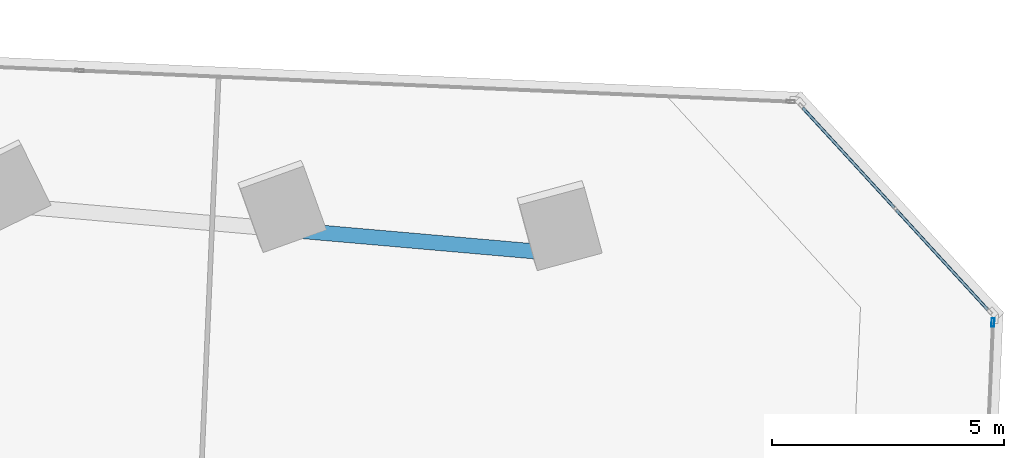
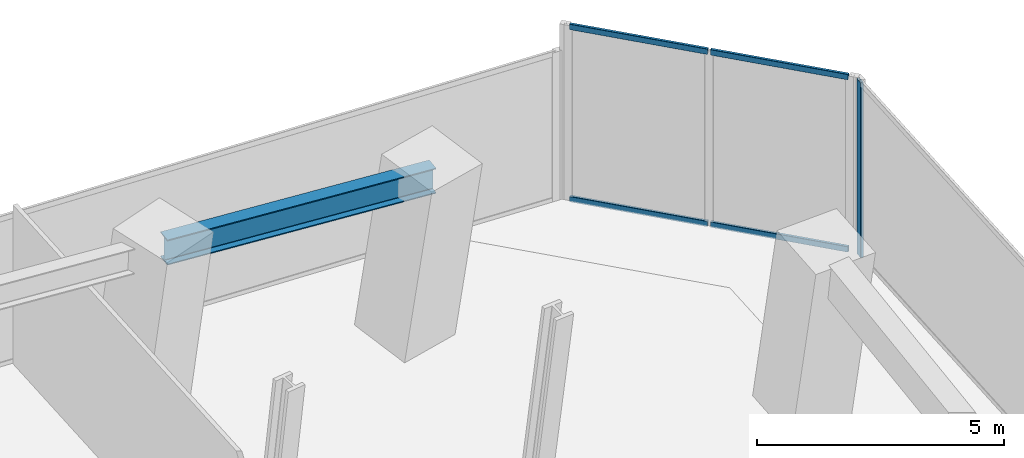
# One storey, part 14 of 26: 5 members, 1 beam, 2 elements without a shape of their own.
"""IFC4 building model written with IfcOpenShell, lengths in metres."""

from ifc_helpers import new_model, si_unit, direction, frame, origin, origin_2d, place, context, subcontext, project, spatial, hollow_rectangle, i_section, extrude, source, transform, mapped, material, material_profile, profile_set, type_object, element, aggregate, save


model = new_model("IFC4")

# Units and contexts
model_context = context("Model", 3, precision=1e-05, world=origin(), true_north=direction((0.0, 1.0)))
body_context = subcontext(model_context, "Body", "Model", "MODEL_VIEW")
ifc_project = project(units=[si_unit("LENGTHUNIT", "METRE"), si_unit("AREAUNIT", "SQUARE_METRE"), si_unit("VOLUMEUNIT", "CUBIC_METRE"), si_unit("PLANEANGLEUNIT", "RADIAN"), si_unit("MASSUNIT", "GRAM", prefix="KILO")], contexts=[model_context])

# Site, building, storey
site_placement = place(None, origin())
site = spatial("IfcSite", under=ifc_project, at=site_placement, CompositionType="ELEMENT")
building_placement = place(site_placement, origin())
building = spatial("IfcBuilding", under=site, at=building_placement, Name="Torre Montelarca", CompositionType="ELEMENT")
storey_placement = place(building_placement, frame((0.0, 0.0, 42.39990234375)))
storey = spatial("IfcBuildingStorey", under=building, at=storey_placement, Name="L09", CompositionType="ELEMENT", Elevation=42.39990234375)

# Beam
ifc_material_1 = material(Name="Steel ASTM A992 Grade 50", Category="steel")
ifc_material_profile_1 = material_profile(ifc_material_1, i_section(OverallWidth=0.326904296875, OverallDepth=0.6220703125, WebThickness=0.015380859375, FlangeThickness=0.0244140625, FilletRadius=0.014892578125, at=origin_2d()), Name="W610X195", Category="steel")
ifc_profile_set_1 = profile_set([ifc_material_profile_1], Name="Steel ASTM A992 Grade 50")
beam_type = type_object("IfcBeamType", Name="BM-G-W610H", PredefinedType="BEAM", material=ifc_profile_set_1)
shared_shape_1 = source(origin(), body_context, "Body", "SweptSolid", [
    extrude(i_section(OverallWidth=0.326904296875, OverallDepth=0.6220703125, WebThickness=0.015380859375, FlangeThickness=0.0244140625, FilletRadius=0.014892578125, at=origin_2d()), origin(), (0.0, 0.0, 1.0), 6.0),
])
beam_placement = place(storey_placement, frame((49.119384765625, 43.63720703125, 4.2490234375), z_axis=(0.996194335816, -0.087159883478, 0.0), x_axis=(0.087159883478, 0.996194335816, 0.0)))
element("IfcBeam", 1, at=beam_placement, inside=storey, type_object=beam_type, Name="L09 Grid Girder X 48.0-54.0 at Y=46.0", PredefinedType="BEAM", context=body_context, shape_type="MappedRepresentation", body=[
    mapped(shared_shape_1, transform((0.0, 0.0, 0.0), scale=1.0)),
])

# Curtain wall, member
ifc_material_2 = material(Name="Insulated low-E laminated glass", Category="glass")
curtain_wall_type = type_object("IfcCurtainWallType", Name="CW-SYS-Z1", PredefinedType="USERDEFINED", material=ifc_material_2)
curtain_wall_1_placement = place(storey_placement, origin())
curtain_wall_1 = element("IfcCurtainWall", 2, at=curtain_wall_1_placement, inside=storey, type_object=curtain_wall_type, Name="L09 Curtain Wall Run CW-T3-L09-E06-B1", ObjectType="UNITISED GLAZING", PredefinedType="USERDEFINED")
ifc_material_3 = material(Name="Anodised aluminium AA 6063-T6", Category="aluminium")
ifc_material_profile_2 = material_profile(ifc_material_3, hollow_rectangle(XDim=0.06494140625, YDim=0.179931640625, WallThickness=0.00390625, InnerFilletRadius=0.00390625, OuterFilletRadius=0.008056640625, at=origin_2d()), Name="ALU65X180X4", Category="aluminium")
ifc_profile_set_2 = profile_set([ifc_material_profile_2], Name="Anodised aluminium AA 6063-T6")
member_type_1 = type_object("IfcMemberType", Name="CWM-ALU180", PredefinedType="MULLION", material=ifc_profile_set_2)
shared_shape_2 = source(origin(), body_context, "Body", "SweptSolid", [
    extrude(hollow_rectangle(XDim=0.06494140625, YDim=0.179931640625, WallThickness=0.00390625, InnerFilletRadius=0.00390625, OuterFilletRadius=0.008056640625, at=origin_2d()), origin(), (0.0, 0.0, 1.0), 4.320068359375),
])
member_1_placement = place(storey_placement, frame((64.2314453125, 41.64697265625, 0.0), z_axis=(0.0, 0.0, 1.0), x_axis=(-0.999048300322, 0.043617583889, 0.0)))
member_1 = element("IfcMember", 3, at=member_1_placement, type_object=member_type_1, Name="CW mullion 3", PredefinedType="MULLION", context=body_context, shape_type="MappedRepresentation", body=[
    mapped(shared_shape_2, transform((0.0, 0.0, 0.0), scale=1.0)),
])
aggregate(curtain_wall_1, [member_1])

# Curtain wall, members
curtain_wall_2_placement = place(storey_placement, origin())
curtain_wall_2 = element("IfcCurtainWall", 4, at=curtain_wall_2_placement, inside=storey, type_object=curtain_wall_type, Name="L09 Curtain Wall Run CW-T3-L09-E07-B1", ObjectType="UNITISED GLAZING", PredefinedType="USERDEFINED")
ifc_material_profile_3 = material_profile(ifc_material_3, hollow_rectangle(XDim=0.06494140625, YDim=0.139892578125, WallThickness=0.00390625, InnerFilletRadius=0.00390625, OuterFilletRadius=0.008056640625, at=origin_2d()), Name="ALU65X140X4", Category="aluminium")
ifc_profile_set_3 = profile_set([ifc_material_profile_3], Name="Anodised aluminium AA 6063-T6")
member_type_2 = type_object("IfcMemberType", Name="CWT-ALU140", PredefinedType="USERDEFINED", material=ifc_profile_set_3)
shared_shape_3 = source(origin(), body_context, "Body", "SweptSolid", [
    extrude(hollow_rectangle(XDim=0.06494140625, YDim=0.139892578125, WallThickness=0.00390625, InnerFilletRadius=0.00390625, OuterFilletRadius=0.008056640625, at=origin_2d()), origin(), (0.0, 0.0, 1.0), 2.918701171875),
])
member_2_placement = place(storey_placement, frame((64.1181640625, 41.921630859375, 0.03271484375), z_axis=(-0.675523853429, 0.737338133727, 0.0), x_axis=(-0.737338133727, -0.675523853429, 0.0)))
member_2 = element("IfcMember", 5, at=member_2_placement, type_object=member_type_2, Name="CW transom 1.1", ObjectType="TRANSOM", PredefinedType="USERDEFINED", context=body_context, shape_type="MappedRepresentation", body=[
    mapped(shared_shape_3, transform((0.0, 0.0, 0.0), scale=1.0)),
])
member_3_placement = place(storey_placement, frame((64.1181640625, 41.921630859375, 4.28759765625), z_axis=(-0.675523853429, 0.737338133727, 0.0), x_axis=(-0.737338133727, -0.675523853429, 0.0)))
member_3 = element("IfcMember", 6, at=member_3_placement, type_object=member_type_2, Name="CW transom 1.2", ObjectType="TRANSOM", PredefinedType="USERDEFINED", context=body_context, shape_type="MappedRepresentation", body=[
    mapped(shared_shape_3, transform((0.0, 0.0, 0.0), scale=1.0)),
])
member_4_placement = place(storey_placement, frame((62.1025390625, 44.12158203125, 0.03271484375), z_axis=(-0.675610987809, 0.737258294732, 0.0), x_axis=(-0.737258294732, -0.675610987809, 0.0)))
member_4 = element("IfcMember", 7, at=member_4_placement, type_object=member_type_2, Name="CW transom 2.1", ObjectType="TRANSOM", PredefinedType="USERDEFINED", context=body_context, shape_type="MappedRepresentation", body=[
    mapped(shared_shape_3, transform((0.0, 0.0, 0.0), scale=1.0)),
])
member_5_placement = place(storey_placement, frame((62.1025390625, 44.12158203125, 4.28759765625), z_axis=(-0.675610987809, 0.737258294732, 0.0), x_axis=(-0.737258294732, -0.675610987809, 0.0)))
member_5 = element("IfcMember", 8, at=member_5_placement, type_object=member_type_2, Name="CW transom 2.2", ObjectType="TRANSOM", PredefinedType="USERDEFINED", context=body_context, shape_type="MappedRepresentation", body=[
    mapped(shared_shape_3, transform((0.0, 0.0, 0.0), scale=1.0)),
])
aggregate(curtain_wall_2, [member_2, member_3, member_4, member_5])

save(model, "model.ifc")
